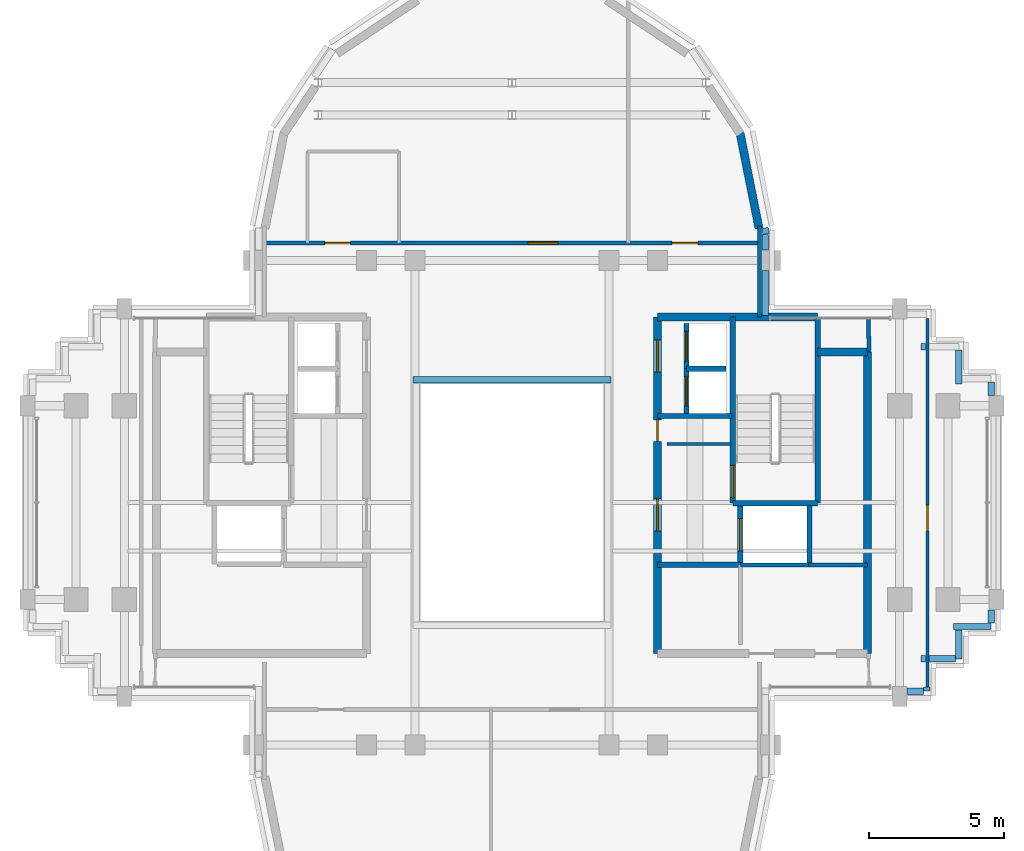
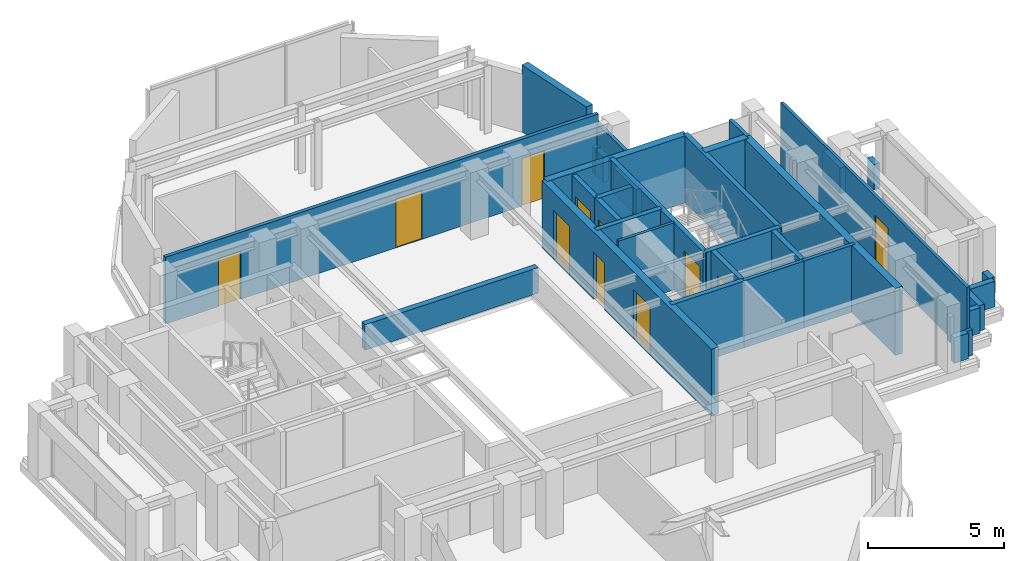
# One storey, part 9 of 12: 36 walls, 11 doors, 11 openings.
"""IFC4 building model written with IfcOpenShell, lengths in metres."""

from ifc_helpers import new_model, si_unit, direction, frame, frame_2d, origin, place, context, subcontext, project, spatial, rectangle, extrude, source, transform, mapped, material, layer, layer_set, type_object, element, fill, save


model = new_model("IFC4")

# Units and contexts
model_context = context("Model", 3, precision=1e-05, world=origin(), true_north=direction((0.0, 1.0)))
body_context = subcontext(model_context, "Body", "Model", "MODEL_VIEW")
ifc_project = project(units=[si_unit("LENGTHUNIT", "METRE"), si_unit("AREAUNIT", "SQUARE_METRE"), si_unit("VOLUMEUNIT", "CUBIC_METRE"), si_unit("PLANEANGLEUNIT", "RADIAN"), si_unit("MASSUNIT", "GRAM", prefix="KILO")], contexts=[model_context])

# Site, building, storey
site_placement = place(None, origin())
site = spatial("IfcSite", under=ifc_project, at=site_placement, CompositionType="ELEMENT")
building_placement = place(site_placement, origin())
building = spatial("IfcBuilding", under=site, at=building_placement, Name="Keilestroom Media Tower", CompositionType="ELEMENT")
storey_placement = place(building_placement, frame((0.0, 0.0, 236.39990234375)))
storey = spatial("IfcBuildingStorey", under=building, at=storey_placement, Name="L65", CompositionType="ELEMENT", Elevation=236.39990234375)

# Walls
ifc_material_1 = material(Name="Precast concrete C40/50", Category="concrete")
ifc_layer_1 = layer(ifc_material_1, 0.300048828125)
ifc_layer_set_1 = layer_set([ifc_layer_1], Name="Precast concrete C40/50")
wall_type_1 = type_object("IfcWallType", Name="Exterior-Masonry-Spandrel-Wall-300", PredefinedType="SOLIDWALL", material=ifc_layer_set_1)
wall_1_placement = place(storey_placement, frame((9.1748046875, 10.185302734375, 0.0), z_axis=(0.0, 0.0, 1.0), x_axis=(-0.195114232679, 0.980780523974, 0.0)))
element("IfcWall", 1, at=wall_1_placement, inside=storey, type_object=wall_type_1, Name="L65 Lobe Facet Precast Frame Wall 01", PredefinedType="SOLIDWALL", context=body_context, shape_type="SweptSolid", body=[
    extrude(rectangle(XDim=3.608642578125, YDim=0.300048828125, at=frame_2d((1.80419921875, 0.0))), origin(), (0.0, 0.0, 1.0), 3.010009765625),
])
ifc_material_2 = material(Name="Gypsum Plasterboard & Steel Stud", Category="steel")
ifc_layer_2 = layer(ifc_material_2, 0.1201171875)
ifc_layer_set_2 = layer_set([ifc_layer_2], Name="Gypsum Plasterboard & Steel Stud")
wall_type_2 = type_object("IfcWallType", Name="Interior-Partition-Wall-120", PredefinedType="PARTITIONING", material=ifc_layer_set_2)
wall_2_placement = place(storey_placement, frame((5.75, 2.179931640625, 0.0), z_axis=(0.0, 0.0, 1.0), x_axis=(1.0, 0.0, 0.0)))
element("IfcWall", 2, at=wall_2_placement, inside=storey, type_object=wall_type_2, Name="L65 Interior Wall WP-L65-CIE-S", PredefinedType="PARTITIONING", context=body_context, shape_type="SweptSolid", body=[
    extrude(rectangle(XDim=2.389892578125, YDim=0.1201171875, at=frame_2d((1.19482421875, 0.0))), origin(), (0.0, 0.0, 1.0), 3.010009765625),
])

# Wall, opening, door
wall_3_placement = place(storey_placement, frame((15.429931640625, -6.85009765625, 0.0), z_axis=(0.0, 0.0, 1.0), x_axis=(0.0, 1.0, 0.0)))
wall_3 = element("IfcWall", 3, at=wall_3_placement, inside=storey, type_object=wall_type_2, Name="L65 Interior Wall WP-L65-EA-V", PredefinedType="PARTITIONING", context=body_context, shape_type="SweptSolid", body=[
    extrude(rectangle(XDim=13.7001953125, YDim=0.1201171875, at=frame_2d((6.85009765625, 0.0))), origin(), (0.0, 0.0, 1.0), 3.010009765625),
])
opening_1_placement = place(wall_3_placement, frame((5.800048828125, 0.0, 0.0)))
opening_1 = element("IfcOpeningElement", 4, at=opening_1_placement, cuts=wall_3, Name="Opening DI-03", PredefinedType="OPENING", context=body_context, shape_type="SweptSolid", body=[
    extrude(rectangle(XDim=0.949951171875, YDim=2.14990234375, at=frame_2d((0.47509765625, 1.074951171875))), frame((0.0, 0.070068359375, 0.0), z_axis=(0.0, -1.0, 0.0), x_axis=(1.0, 0.0, 0.0)), (0.0, 0.0, 1.0), 0.14013671875),
])
ifc_material_3 = material(Name="Lacquered European Oak Leaf", Category="wood")
door_type_1 = type_object("IfcDoorType", Name="Interior-Room-And-Suite-Door-DI-03", OperationType="NOTDEFINED", PredefinedType="DOOR", material=ifc_material_3)
shared_shape_1 = source(origin(), body_context, "Body", "SweptSolid", [
    extrude(rectangle(XDim=0.949951171875, YDim=2.14990234375, at=frame_2d((0.47509765625, 1.074951171875))), frame((0.0, 0.02490234375, 0.0), z_axis=(0.0, -1.0, 0.0), x_axis=(1.0, 0.0, 0.0)), (0.0, 0.0, 1.0), 0.050048828125),
])
door_1_placement = place(opening_1_placement, origin())
door_1 = element("IfcDoor", 5, at=door_1_placement, inside=storey, type_object=door_type_1, Name="L65 Interior Door DI-L65-DEA-E", OperationType="SINGLE_SWING_RIGHT", OverallHeight=2.14990234375, OverallWidth=0.949951171875, PredefinedType="DOOR", context=body_context, shape_type="MappedRepresentation", body=[
    mapped(shared_shape_1, transform((0.0, 0.0, 0.0), x_axis=(1.0, 0.0, 0.0), y_axis=(0.0, 1.0, 0.0), z_axis=(0.0, 0.0, 1.0), scale=1.0)),
])
fill(opening_1, door_1)

# Walls
ifc_layer_3 = layer(ifc_material_2, 0.14990234375)
ifc_layer_set_3 = layer_set([ifc_layer_3], Name="Gypsum Plasterboard & Steel Stud")
wall_type_3 = type_object("IfcWallType", Name="Interior-Partition-Wall-150", PredefinedType="PARTITIONING", material=ifc_layer_set_3)
wall_4_placement = place(storey_placement, frame((11.02001953125, -2.320068359375, 0.0), z_axis=(0.0, 0.0, 1.0), x_axis=(1.0, 0.0, 0.0)))
element("IfcWall", 6, at=wall_4_placement, inside=storey, type_object=wall_type_3, Name="L65 Interior Wall WP-L65-RECLE-N", PredefinedType="PARTITIONING", context=body_context, shape_type="SweptSolid", body=[
    extrude(rectangle(XDim=2.179931640625, YDim=0.14990234375, at=frame_2d((1.08984375, 0.0))), origin(), (0.0, 0.0, 1.0), 3.010009765625),
])
wall_5_placement = place(storey_placement, frame((8.47998046875, -2.320068359375, 0.0), z_axis=(0.0, 0.0, 1.0), x_axis=(1.0, 0.0, 0.0)))
element("IfcWall", 7, at=wall_5_placement, inside=storey, type_object=wall_type_3, Name="L65 Interior Wall WP-L65-RECME-N", PredefinedType="PARTITIONING", context=body_context, shape_type="SweptSolid", body=[
    extrude(rectangle(XDim=2.56005859375, YDim=0.14990234375, at=frame_2d((1.280029296875, 0.0))), origin(), (0.0, 0.0, 1.0), 3.010009765625),
])

# Wall, openings, doors
wall_6_placement = place(storey_placement, frame((-9.199951171875, 9.639892578125, 0.0), z_axis=(0.0, 0.0, 1.0), x_axis=(1.0, 0.0, 0.0)))
wall_6 = element("IfcWall", 8, at=wall_6_placement, inside=storey, type_object=wall_type_3, Name="L65 Interior Wall WP-L65-NL-BASE", PredefinedType="PARTITIONING", context=body_context, shape_type="SweptSolid", body=[
    extrude(rectangle(XDim=18.39990234375, YDim=0.14990234375, at=frame_2d((9.199951171875, 0.0))), origin(), (0.0, 0.0, 1.0), 3.010009765625),
])
opening_2_placement = place(wall_6_placement, frame((2.25, 0.0, 0.0)))
opening_2 = element("IfcOpeningElement", 9, at=opening_2_placement, cuts=wall_6, Name="Opening DI-03", PredefinedType="OPENING", context=body_context, shape_type="SweptSolid", body=[
    extrude(rectangle(XDim=0.949951171875, YDim=2.14990234375, at=frame_2d((0.47509765625, 1.074951171875))), frame((0.0, 0.0849609375, 0.0), z_axis=(0.0, -1.0, 0.0), x_axis=(1.0, 0.0, 0.0)), (0.0, 0.0, 1.0), 0.169921875),
])
opening_3_placement = place(wall_6_placement, frame((9.800048828125, 0.0, 0.0)))
opening_3 = element("IfcOpeningElement", 10, at=opening_3_placement, cuts=wall_6, Name="Opening DI-04", PredefinedType="OPENING", context=body_context, shape_type="SweptSolid", body=[
    extrude(rectangle(XDim=1.10009765625, YDim=2.199951171875, at=frame_2d((0.550048828125, 1.10009765625))), frame((0.0, 0.0849609375, 0.0), z_axis=(0.0, -1.0, 0.0), x_axis=(1.0, 0.0, 0.0)), (0.0, 0.0, 1.0), 0.169921875),
])
opening_4_placement = place(wall_6_placement, frame((15.14990234375, 0.0, 0.0)))
opening_4 = element("IfcOpeningElement", 11, at=opening_4_placement, cuts=wall_6, Name="Opening DI-03", PredefinedType="OPENING", context=body_context, shape_type="SweptSolid", body=[
    extrude(rectangle(XDim=0.949951171875, YDim=2.14990234375, at=frame_2d((0.47509765625, 1.074951171875))), frame((0.0, 0.0849609375, 0.0), z_axis=(0.0, -1.0, 0.0), x_axis=(1.0, 0.0, 0.0)), (0.0, 0.0, 1.0), 0.169921875),
])
door_2_placement = place(opening_2_placement, origin())
door_2 = element("IfcDoor", 12, at=door_2_placement, inside=storey, type_object=door_type_1, Name="L65 Interior Door DI-L65-DNL-WC", OperationType="SINGLE_SWING_LEFT", OverallHeight=2.14990234375, OverallWidth=0.949951171875, PredefinedType="DOOR", context=body_context, shape_type="MappedRepresentation", body=[
    mapped(shared_shape_1, transform((0.0, 0.0, 0.0), x_axis=(1.0, 0.0, 0.0), y_axis=(0.0, 1.0, 0.0), z_axis=(0.0, 0.0, 1.0), scale=1.0)),
])
fill(opening_2, door_2)
door_3_placement = place(opening_4_placement, origin())
door_3 = element("IfcDoor", 13, at=door_3_placement, inside=storey, type_object=door_type_1, Name="L65 Interior Door DI-L65-DNL-B", OperationType="SINGLE_SWING_LEFT", OverallHeight=2.14990234375, OverallWidth=0.949951171875, PredefinedType="DOOR", context=body_context, shape_type="MappedRepresentation", body=[
    mapped(shared_shape_1, transform((0.0, 0.0, 0.0), x_axis=(1.0, 0.0, 0.0), y_axis=(0.0, 1.0, 0.0), z_axis=(0.0, 0.0, 1.0), scale=1.0)),
])
fill(opening_4, door_3)
ifc_material_4 = material(Name="Acoustic Glazed Aluminium Leaf", Category="aluminium")
door_type_2 = type_object("IfcDoorType", Name="Interior-Room-And-Suite-Door-DI-04", OperationType="NOTDEFINED", PredefinedType="DOOR", material=ifc_material_4)
shared_shape_2 = source(origin(), body_context, "Body", "SweptSolid", [
    extrude(rectangle(XDim=1.10009765625, YDim=2.199951171875, at=frame_2d((0.550048828125, 1.10009765625))), frame((0.0, 0.02490234375, 0.0), z_axis=(0.0, -1.0, 0.0), x_axis=(1.0, 0.0, 0.0)), (0.0, 0.0, 1.0), 0.050048828125),
])
door_4_placement = place(opening_3_placement, origin())
door_4 = element("IfcDoor", 14, at=door_4_placement, inside=storey, type_object=door_type_2, Name="L65 Interior Door DI-L65-DNL-A", OperationType="SINGLE_SWING_RIGHT", OverallHeight=2.199951171875, OverallWidth=1.10009765625, PredefinedType="DOOR", context=body_context, shape_type="MappedRepresentation", body=[
    mapped(shared_shape_2, transform((0.0, 0.0, 0.0), x_axis=(1.0, 0.0, 0.0), y_axis=(0.0, 1.0, 0.0), z_axis=(0.0, 0.0, 1.0), scale=1.0)),
])
fill(opening_3, door_4)

# Walls
wall_7_placement = place(storey_placement, frame((9.199951171875, 6.89990234375, 0.0), z_axis=(0.0, 0.0, 1.0), x_axis=(0.0, 1.0, 0.0)))
element("IfcWall", 15, at=wall_7_placement, inside=storey, type_object=wall_type_3, Name="L65 Interior Wall WP-L65-NL-CHKE", PredefinedType="PARTITIONING", context=body_context, shape_type="SweptSolid", body=[
    extrude(rectangle(XDim=3.380126953125, YDim=0.14990234375, at=frame_2d((1.68994140625, 0.0))), origin(), (0.0, 0.0, 1.0), 2.610107421875),
])
wall_8_placement = place(storey_placement, frame((13.260009765625, 5.60009765625, 0.0), z_axis=(0.0, 0.0, 1.0), x_axis=(-0.016013571389, 0.999871774545, 0.0)))
element("IfcWall", 16, at=wall_8_placement, inside=storey, type_object=wall_type_3, Name="L65 Interior Wall WP-L65-EA-ENTN", PredefinedType="PARTITIONING", context=body_context, shape_type="SweptSolid", body=[
    extrude(rectangle(XDim=1.250244140625, YDim=0.14990234375, at=frame_2d((0.625, 0.0))), origin(), (0.0, 0.0, 1.0), 3.010009765625),
])
ifc_material_5 = material(Name="Concrete C50/60", Category="concrete")
ifc_layer_4 = layer(ifc_material_5, 0.300048828125)
ifc_layer_set_4 = layer_set([ifc_layer_4], Name="Concrete C50/60")
wall_type_4 = type_object("IfcWallType", Name="Reinforced-Concrete-Core-Shear-Wall-300", PredefinedType="SHEAR", material=ifc_layer_set_4)
wall_9_placement = place(storey_placement, frame((13.199951171875, -5.60009765625, 0.0), z_axis=(0.0, 0.0, 1.0), x_axis=(0.0, 1.0, 0.0)))
element("IfcWall", 17, at=wall_9_placement, inside=storey, type_object=wall_type_4, Name="L65 Core Shear Wall WL-L65-CORE-E-OUT", PredefinedType="SHEAR", context=body_context, shape_type="SweptSolid", body=[
    extrude(rectangle(XDim=11.2001953125, YDim=0.300048828125, at=frame_2d((5.60009765625, 0.0))), origin(), (0.0, 0.0, 1.0), 3.010009765625),
])

# Wall, openings, doors
wall_10_placement = place(storey_placement, frame((5.39990234375, -5.60009765625, 0.0), z_axis=(0.0, 0.0, 1.0), x_axis=(0.0, 1.0, 0.0)))
wall_10 = element("IfcWall", 18, at=wall_10_placement, inside=storey, type_object=wall_type_4, Name="L65 Core Shear Wall WL-L65-CORE-E-IN", PredefinedType="SHEAR", context=body_context, shape_type="SweptSolid", body=[
    extrude(rectangle(XDim=12.5, YDim=0.300048828125, at=frame_2d((6.25, 0.0))), origin(), (0.0, 0.0, 1.0), 3.010009765625),
])
opening_5_placement = place(wall_10_placement, frame((4.550048828125, 0.0, 0.0)))
opening_5 = element("IfcOpeningElement", 19, at=opening_5_placement, cuts=wall_10, Name="Opening DI-02", PredefinedType="OPENING", context=body_context, shape_type="SweptSolid", body=[
    extrude(rectangle(XDim=1.199951171875, YDim=2.199951171875, at=frame_2d((0.60009765625, 1.10009765625))), frame((0.0, 0.16015625, 0.0), z_axis=(0.0, -1.0, 0.0), x_axis=(1.0, 0.0, 0.0)), (0.0, 0.0, 1.0), 0.320068359375),
])
opening_6_placement = place(wall_10_placement, frame((10.449951171875, 0.0, 0.0)))
opening_6 = element("IfcOpeningElement", 20, at=opening_6_placement, cuts=wall_10, Name="Opening DI-02", PredefinedType="OPENING", context=body_context, shape_type="SweptSolid", body=[
    extrude(rectangle(XDim=1.199951171875, YDim=2.199951171875, at=frame_2d((0.60009765625, 1.10009765625))), frame((0.0, 0.16015625, 0.0), z_axis=(0.0, -1.0, 0.0), x_axis=(1.0, 0.0, 0.0)), (0.0, 0.0, 1.0), 0.320068359375),
])
opening_7_placement = place(wall_10_placement, frame((7.8798828125, 0.0, 0.0)))
opening_7 = element("IfcOpeningElement", 21, at=opening_7_placement, cuts=wall_10, Name="Opening DI-06", PredefinedType="OPENING", context=body_context, shape_type="SweptSolid", body=[
    extrude(rectangle(XDim=0.800048828125, YDim=2.10009765625, at=frame_2d((0.39990234375, 1.050048828125))), frame((0.0, 0.16015625, 0.0), z_axis=(0.0, -1.0, 0.0), x_axis=(1.0, 0.0, 0.0)), (0.0, 0.0, 1.0), 0.320068359375),
])
ifc_material_6 = material(Name="Powder-Coated Steel Fire Leaf", Category="steel")
door_type_3 = type_object("IfcDoorType", Name="Interior-Compartment-Fire-Door-DI-02", OperationType="NOTDEFINED", PredefinedType="DOOR", material=ifc_material_6)
shared_shape_3 = source(origin(), body_context, "Body", "SweptSolid", [
    extrude(rectangle(XDim=1.199951171875, YDim=2.199951171875, at=frame_2d((0.60009765625, 1.10009765625))), frame((0.0, 0.02490234375, 0.0), z_axis=(0.0, -1.0, 0.0), x_axis=(1.0, 0.0, 0.0)), (0.0, 0.0, 1.0), 0.050048828125),
])
door_5_placement = place(opening_5_placement, origin())
door_5 = element("IfcDoor", 22, at=door_5_placement, inside=storey, type_object=door_type_3, Name="L65 E Firefighting Lobby Door", OperationType="SINGLE_SWING_LEFT", OverallHeight=2.199951171875, OverallWidth=1.199951171875, PredefinedType="DOOR", context=body_context, shape_type="MappedRepresentation", body=[
    mapped(shared_shape_3, transform((0.0, 0.0, 0.0), x_axis=(1.0, 0.0, 0.0), y_axis=(0.0, 1.0, 0.0), z_axis=(0.0, 0.0, 1.0), scale=1.0)),
])
fill(opening_5, door_5)
door_6_placement = place(opening_6_placement, origin())
door_6 = element("IfcDoor", 23, at=door_6_placement, inside=storey, type_object=door_type_3, Name="L65 E High-Rise Lift Lobby Door", OperationType="SINGLE_SWING_RIGHT", OverallHeight=2.199951171875, OverallWidth=1.199951171875, PredefinedType="DOOR", context=body_context, shape_type="MappedRepresentation", body=[
    mapped(shared_shape_3, transform((0.0, 0.0, 0.0), x_axis=(1.0, 0.0, 0.0), y_axis=(0.0, 1.0, 0.0), z_axis=(0.0, 0.0, 1.0), scale=1.0)),
])
fill(opening_6, door_6)
ifc_material_7 = material(Name="Powder-Coated Steel Service Leaf", Category="steel")
door_type_4 = type_object("IfcDoorType", Name="Interior-Riser-Access-Door-DI-06", OperationType="NOTDEFINED", PredefinedType="DOOR", material=ifc_material_7)
shared_shape_4 = source(origin(), body_context, "Body", "SweptSolid", [
    extrude(rectangle(XDim=0.800048828125, YDim=2.10009765625, at=frame_2d((0.39990234375, 1.050048828125))), frame((0.0, 0.02490234375, 0.0), z_axis=(0.0, -1.0, 0.0), x_axis=(1.0, 0.0, 0.0)), (0.0, 0.0, 1.0), 0.050048828125),
])
door_7_placement = place(opening_7_placement, origin())
door_7 = element("IfcDoor", 24, at=door_7_placement, inside=storey, type_object=door_type_4, Name="L65 East Core Closet Door", OperationType="SINGLE_SWING_RIGHT", OverallHeight=2.10009765625, OverallWidth=0.800048828125, PredefinedType="DOOR", context=body_context, shape_type="MappedRepresentation", body=[
    mapped(shared_shape_4, transform((0.0, 0.0, 0.0), x_axis=(1.0, 0.0, 0.0), y_axis=(0.0, 1.0, 0.0), z_axis=(0.0, 0.0, 1.0), scale=1.0)),
])
fill(opening_7, door_7)

# Walls
wall_11_placement = place(storey_placement, frame((5.39990234375, 6.89990234375, 0.0), z_axis=(0.0, 0.0, 1.0), x_axis=(1.0, 0.0, 0.0)))
element("IfcWall", 25, at=wall_11_placement, inside=storey, type_object=wall_type_4, Name="L65 Core Shear Wall WL-L65-CORE-E-N", PredefinedType="SHEAR", context=body_context, shape_type="SweptSolid", body=[
    extrude(rectangle(XDim=5.9560546875, YDim=0.300048828125, at=frame_2d((2.97802734375, 0.0))), origin(), (0.0, 0.0, 1.0), 3.010009765625),
])
wall_12_placement = place(storey_placement, frame((11.35595703125, 5.60009765625, 0.0), z_axis=(0.0, 0.0, 1.0), x_axis=(1.0, 0.0, 0.0)))
element("IfcWall", 26, at=wall_12_placement, inside=storey, type_object=wall_type_4, Name="L65 Core Shear Wall WL-L65-CNE-N", PredefinedType="SHEAR", context=body_context, shape_type="SweptSolid", body=[
    extrude(rectangle(XDim=1.843994140625, YDim=0.300048828125, at=frame_2d((0.921875, 0.0))), origin(), (0.0, 0.0, 1.0), 3.010009765625),
])
ifc_layer_5 = layer(ifc_material_5, 0.199951171875)
ifc_layer_set_5 = layer_set([ifc_layer_5], Name="Concrete C50/60")
wall_type_5 = type_object("IfcWallType", Name="Reinforced-Concrete-Shaft-Wall-200", PredefinedType="SOLIDWALL", material=ifc_layer_set_5)
wall_13_placement = place(storey_placement, frame((5.39990234375, 3.219970703125, 0.0), z_axis=(0.0, 0.0, 1.0), x_axis=(1.0, 0.0, 0.0)))
element("IfcWall", 27, at=wall_13_placement, inside=storey, type_object=wall_type_5, Name="L65 Core Shear Wall WL-L65-CORE-E-FFN", PredefinedType="SOLIDWALL", context=body_context, shape_type="SweptSolid", body=[
    extrude(rectangle(XDim=2.780029296875, YDim=0.199951171875, at=frame_2d((1.39013671875, 0.0))), origin(), (0.0, 0.0, 1.0), 3.010009765625),
])
wall_14_placement = place(storey_placement, frame((5.39990234375, -2.300048828125, 0.0), z_axis=(0.0, 0.0, 1.0), x_axis=(1.0, 0.0, 0.0)))
element("IfcWall", 28, at=wall_14_placement, inside=storey, type_object=wall_type_5, Name="L65 Core Shear Wall WL-L65-CORE-E-FFS", PredefinedType="SOLIDWALL", context=body_context, shape_type="SweptSolid", body=[
    extrude(rectangle(XDim=3.080078125, YDim=0.199951171875, at=frame_2d((1.5400390625, 0.0))), origin(), (0.0, 0.0, 1.0), 3.010009765625),
])

# Wall, opening, door
wall_15_placement = place(storey_placement, frame((8.2041015625, -0.01611328125, 0.0), z_axis=(0.0, 0.0, 1.0), x_axis=(0.0, 1.0, 0.0)))
wall_15 = element("IfcWall", 29, at=wall_15_placement, inside=storey, type_object=wall_type_5, Name="L65 Core Shear Wall WL-L65-STW-E-NEAR", PredefinedType="SOLIDWALL", context=body_context, shape_type="SweptSolid", body=[
    extrude(rectangle(XDim=6.916015625, YDim=0.199951171875, at=frame_2d((3.4580078125, 0.0))), origin(), (0.0, 0.0, 1.0), 3.010009765625),
])
opening_8_placement = place(wall_15_placement, frame((0.199951171875, 0.0, 0.0)))
opening_8 = element("IfcOpeningElement", 30, at=opening_8_placement, cuts=wall_15, Name="Opening DI-01S", PredefinedType="OPENING", context=body_context, shape_type="SweptSolid", body=[
    extrude(rectangle(XDim=1.199951171875, YDim=2.199951171875, at=frame_2d((0.60009765625, 1.10009765625))), frame((0.0, 0.10986328125, 0.0), z_axis=(0.0, -1.0, 0.0), x_axis=(1.0, 0.0, 0.0)), (0.0, 0.0, 1.0), 0.219970703125),
])
door_type_5 = type_object("IfcDoorType", Name="Interior-Stair-And-Core-Fire-Door-DI-01", OperationType="NOTDEFINED", PredefinedType="DOOR", material=ifc_material_6)
door_8_placement = place(opening_8_placement, origin())
door_8 = element("IfcDoor", 31, at=door_8_placement, inside=storey, type_object=door_type_5, Name="L65 Escape Stair ST-2 Fire Door", OperationType="SINGLE_SWING_RIGHT", OverallHeight=2.199951171875, OverallWidth=1.199951171875, PredefinedType="DOOR", context=body_context, shape_type="MappedRepresentation", body=[
    mapped(shared_shape_3, transform((0.0, 0.0, 0.0), x_axis=(1.0, 0.0, 0.0), y_axis=(0.0, 1.0, 0.0), z_axis=(0.0, 0.0, 1.0), scale=1.0)),
])
fill(opening_8, door_8)

# Walls
wall_16_placement = place(storey_placement, frame((11.35595703125, -0.01611328125, 0.0), z_axis=(0.0, 0.0, 1.0), x_axis=(0.0, 1.0, 0.0)))
element("IfcWall", 32, at=wall_16_placement, inside=storey, type_object=wall_type_5, Name="L65 Core Shear Wall WL-L65-STW-E-FAR", PredefinedType="SOLIDWALL", context=body_context, shape_type="SweptSolid", body=[
    extrude(rectangle(XDim=6.916015625, YDim=0.199951171875, at=frame_2d((3.4580078125, 0.0))), origin(), (0.0, 0.0, 1.0), 3.010009765625),
])
wall_17_placement = place(storey_placement, frame((8.2041015625, -0.01611328125, 0.0), z_axis=(0.0, 0.0, 1.0), x_axis=(1.0, 0.0, 0.0)))
element("IfcWall", 33, at=wall_17_placement, inside=storey, type_object=wall_type_5, Name="L65 Core Shear Wall WL-L65-STW-E-S", PredefinedType="SOLIDWALL", context=body_context, shape_type="SweptSolid", body=[
    extrude(rectangle(XDim=3.15185546875, YDim=0.199951171875, at=frame_2d((1.575927734375, 0.0))), origin(), (0.0, 0.0, 1.0), 3.010009765625),
])

# Wall, opening, door
wall_18_placement = place(storey_placement, frame((8.47998046875, -2.280029296875, 0.0), z_axis=(0.0, 0.0, 1.0), x_axis=(0.0, 1.0, 0.0)))
wall_18 = element("IfcWall", 34, at=wall_18_placement, inside=storey, type_object=wall_type_5, Name="L65 Core Shear Wall WL-L65-LSH-FFL-2-W", PredefinedType="SOLIDWALL", context=body_context, shape_type="SweptSolid", body=[
    extrude(rectangle(XDim=2.179931640625, YDim=0.199951171875, at=frame_2d((1.08984375, 0.0))), origin(), (0.0, 0.0, 1.0), 3.010009765625),
])
opening_9_placement = place(wall_18_placement, frame((0.489990234375, 0.0, 0.0)))
opening_9 = element("IfcOpeningElement", 35, at=opening_9_placement, cuts=wall_18, Name="Opening LD-02", PredefinedType="OPENING", context=body_context, shape_type="SweptSolid", body=[
    extrude(rectangle(XDim=1.199951171875, YDim=2.199951171875, at=frame_2d((0.60009765625, 1.10009765625))), frame((0.0, 0.10986328125, 0.0), z_axis=(0.0, -1.0, 0.0), x_axis=(1.0, 0.0, 0.0)), (0.0, 0.0, 1.0), 0.219970703125),
])
ifc_material_8 = material(Name="Brushed Stainless Steel Sliding Leaf", Category="steel")
door_type_6 = type_object("IfcDoorType", Name="Lift-Landing-Sliding-Door-LD-02", OperationType="SLIDING_TO_RIGHT", PredefinedType="DOOR", material=ifc_material_8)
door_9_placement = place(opening_9_placement, origin())
door_9 = element("IfcDoor", 36, at=door_9_placement, inside=storey, type_object=door_type_6, Name="L65 Lift FFL-2 Landing Sliding Door", OperationType="SLIDING_TO_RIGHT", OverallHeight=2.199951171875, OverallWidth=1.199951171875, PredefinedType="DOOR", context=body_context, shape_type="MappedRepresentation", body=[
    mapped(shared_shape_3, transform((0.0, 0.0, 0.0), x_axis=(1.0, 0.0, 0.0), y_axis=(0.0, 1.0, 0.0), z_axis=(0.0, 0.0, 1.0), scale=1.0)),
])
fill(opening_9, door_9)

# Wall
wall_19_placement = place(storey_placement, frame((11.050048828125, -2.280029296875, 0.0), z_axis=(0.0, 0.0, 1.0), x_axis=(0.0, 1.0, 0.0)))
element("IfcWall", 37, at=wall_19_placement, inside=storey, type_object=wall_type_5, Name="L65 Core Shear Wall WL-L65-LSH-FFL-2-E", PredefinedType="SOLIDWALL", context=body_context, shape_type="SweptSolid", body=[
    extrude(rectangle(XDim=2.179931640625, YDim=0.199951171875, at=frame_2d((1.08984375, 0.0))), origin(), (0.0, 0.0, 1.0), 3.010009765625),
])

# Wall, opening, door
wall_20_placement = place(storey_placement, frame((6.47998046875, 3.300048828125, 0.0), z_axis=(0.0, 0.0, 1.0), x_axis=(0.0, 1.0, 0.0)))
wall_20 = element("IfcWall", 38, at=wall_20_placement, inside=storey, type_object=wall_type_5, Name="L65 Core Shear Wall WL-L65-LSH-PL-H3-W", PredefinedType="SOLIDWALL", context=body_context, shape_type="SweptSolid", body=[
    extrude(rectangle(XDim=1.679931640625, YDim=0.199951171875, at=frame_2d((0.83984375, 0.0))), origin(), (0.0, 0.0, 1.0), 3.010009765625),
])
opening_10_placement = place(wall_20_placement, frame((0.2900390625, 0.0, 0.0)))
opening_10 = element("IfcOpeningElement", 39, at=opening_10_placement, cuts=wall_20, Name="Opening LD-01", PredefinedType="OPENING", context=body_context, shape_type="SweptSolid", body=[
    extrude(rectangle(XDim=1.10009765625, YDim=2.199951171875, at=frame_2d((0.550048828125, 1.10009765625))), frame((0.0, 0.10986328125, 0.0), z_axis=(0.0, -1.0, 0.0), x_axis=(1.0, 0.0, 0.0)), (0.0, 0.0, 1.0), 0.219970703125),
])
door_type_7 = type_object("IfcDoorType", Name="Lift-Landing-Sliding-Door-LD-01", OperationType="SLIDING_TO_LEFT", PredefinedType="DOOR", material=ifc_material_8)
door_10_placement = place(opening_10_placement, origin())
door_10 = element("IfcDoor", 40, at=door_10_placement, inside=storey, type_object=door_type_7, Name="L65 Lift PL-H3 Landing Sliding Door", OperationType="SLIDING_TO_LEFT", OverallHeight=2.199951171875, OverallWidth=1.10009765625, PredefinedType="DOOR", context=body_context, shape_type="MappedRepresentation", body=[
    mapped(shared_shape_2, transform((0.0, 0.0, 0.0), x_axis=(1.0, 0.0, 0.0), y_axis=(0.0, 1.0, 0.0), z_axis=(0.0, 0.0, 1.0), scale=1.0)),
])
fill(opening_10, door_10)

# Wall
wall_21_placement = place(storey_placement, frame((6.47998046875, 4.97998046875, 0.0), z_axis=(0.0, 0.0, 1.0), x_axis=(1.0, 0.0, 0.0)))
element("IfcWall", 41, at=wall_21_placement, inside=storey, type_object=wall_type_5, Name="L65 Core Shear Wall WL-L65-LSH-PL-H3-N", PredefinedType="SOLIDWALL", context=body_context, shape_type="SweptSolid", body=[
    extrude(rectangle(XDim=1.469970703125, YDim=0.199951171875, at=frame_2d((0.73486328125, 0.0))), origin(), (0.0, 0.0, 1.0), 3.010009765625),
])

# Wall, opening, door
wall_22_placement = place(storey_placement, frame((6.47998046875, 4.97998046875, 0.0), z_axis=(0.0, 0.0, 1.0), x_axis=(0.0, 1.0, 0.0)))
wall_22 = element("IfcWall", 42, at=wall_22_placement, inside=storey, type_object=wall_type_5, Name="L65 Core Shear Wall WL-L65-LSH-PL-H4-W", PredefinedType="SOLIDWALL", context=body_context, shape_type="SweptSolid", body=[
    extrude(rectangle(XDim=1.669921875, YDim=0.199951171875, at=frame_2d((0.8349609375, 0.0))), origin(), (0.0, 0.0, 1.0), 3.010009765625),
])
opening_11_placement = place(wall_22_placement, frame((0.284912109375, 0.0, 0.0)))
opening_11 = element("IfcOpeningElement", 43, at=opening_11_placement, cuts=wall_22, Name="Opening LD-01", PredefinedType="OPENING", context=body_context, shape_type="SweptSolid", body=[
    extrude(rectangle(XDim=1.10009765625, YDim=2.199951171875, at=frame_2d((0.550048828125, 1.10009765625))), frame((0.0, 0.10986328125, 0.0), z_axis=(0.0, -1.0, 0.0), x_axis=(1.0, 0.0, 0.0)), (0.0, 0.0, 1.0), 0.219970703125),
])
door_11_placement = place(opening_11_placement, origin())
door_11 = element("IfcDoor", 44, at=door_11_placement, inside=storey, type_object=door_type_7, Name="L65 Lift PL-H4 Landing Sliding Door", OperationType="SLIDING_TO_LEFT", OverallHeight=2.199951171875, OverallWidth=1.10009765625, PredefinedType="DOOR", context=body_context, shape_type="MappedRepresentation", body=[
    mapped(shared_shape_2, transform((0.0, 0.0, 0.0), x_axis=(1.0, 0.0, 0.0), y_axis=(0.0, 1.0, 0.0), z_axis=(0.0, 0.0, 1.0), scale=1.0)),
])
fill(opening_11, door_11)

# Walls
ifc_layer_6 = layer(ifc_material_1, 0.239990234375)
ifc_layer_set_6 = layer_set([ifc_layer_6], Name="Precast concrete C40/50")
wall_type_6 = type_object("IfcWallType", Name="Roof-And-Terrace-Parapet-Wall-240", PredefinedType="PARAPET", material=ifc_layer_set_6)
wall_23_placement = place(storey_placement, frame((17.800048828125, -4.60009765625, 0.0), z_axis=(0.0, 0.0, 1.0), x_axis=(-1.0, 0.0, 0.0)))
element("IfcWall", 45, at=wall_23_placement, inside=storey, type_object=wall_type_6, Name="L65 Perimeter Edge Parapet Wall 01", PredefinedType="PARAPET", context=body_context, shape_type="SweptSolid", body=[
    extrude(rectangle(XDim=1.400146484375, YDim=0.239990234375, at=frame_2d((0.7001953125, 0.0))), origin(), (0.0, 0.0, 1.0), 1.150146484375),
])
wall_24_placement = place(storey_placement, frame((16.60009765625, -4.722900390625, 0.0), z_axis=(0.0, 0.0, 1.0), x_axis=(0.0, -1.0, 0.0)))
element("IfcWall", 46, at=wall_24_placement, inside=storey, type_object=wall_type_6, Name="L65 Perimeter Edge Parapet Wall 02", PredefinedType="PARAPET", context=body_context, shape_type="SweptSolid", body=[
    extrude(rectangle(XDim=1.0771484375, YDim=0.239990234375, at=frame_2d((0.53857421875, 0.0))), origin(), (0.0, 0.0, 1.0), 1.150146484375),
])
wall_25_placement = place(storey_placement, frame((16.47705078125, -5.800048828125, 0.0), z_axis=(0.0, 0.0, 1.0), x_axis=(-1.0, 0.0, 0.0)))
element("IfcWall", 47, at=wall_25_placement, inside=storey, type_object=wall_type_6, Name="L65 Perimeter Edge Parapet Wall 03", PredefinedType="PARAPET", context=body_context, shape_type="SweptSolid", body=[
    extrude(rectangle(XDim=0.984130859375, YDim=0.239990234375, at=frame_2d((0.4921875, 0.0))), origin(), (0.0, 0.0, 1.0), 1.150146484375),
])
wall_26_placement = place(storey_placement, frame((15.366943359375, -5.800048828125, 0.0), z_axis=(0.0, 0.0, 1.0), x_axis=(-1.0, 0.0, 0.0)))
element("IfcWall", 48, at=wall_26_placement, inside=storey, type_object=wall_type_6, Name="L65 Perimeter Edge Parapet Wall 04", PredefinedType="PARAPET", context=body_context, shape_type="SweptSolid", body=[
    extrude(rectangle(XDim=0.1669921875, YDim=0.239990234375, at=frame_2d((0.08349609375, 0.0))), origin(), (0.0, 0.0, 1.0), 1.150146484375),
])
wall_27_placement = place(storey_placement, frame((15.39990234375, -6.85302734375, 0.0), z_axis=(0.0, 0.0, 1.0), x_axis=(0.0, -1.0, 0.0)))
element("IfcWall", 49, at=wall_27_placement, inside=storey, type_object=wall_type_6, Name="L65 Perimeter Edge Parapet Wall 05", PredefinedType="PARAPET", context=body_context, shape_type="SweptSolid", body=[
    extrude(rectangle(XDim=0.14697265625, YDim=0.239990234375, at=frame_2d((0.073486328125, 0.0))), origin(), (0.0, 0.0, 1.0), 1.150146484375),
])
wall_28_placement = place(storey_placement, frame((15.277099609375, -7.0, 0.0), z_axis=(0.0, 0.0, 1.0), x_axis=(-1.0, 0.0, 0.0)))
element("IfcWall", 50, at=wall_28_placement, inside=storey, type_object=wall_type_6, Name="L65 Perimeter Edge Parapet Wall 06", PredefinedType="PARAPET", context=body_context, shape_type="SweptSolid", body=[
    extrude(rectangle(XDim=0.59912109375, YDim=0.239990234375, at=frame_2d((0.299560546875, 0.0))), origin(), (0.0, 0.0, 1.0), 1.150146484375),
])
wall_29_placement = place(storey_placement, frame((9.395263671875, 10.2041015625, 0.0), z_axis=(0.0, 0.0, 1.0), x_axis=(0.194859894132, -0.980831087221, 0.0)))
element("IfcWall", 51, at=wall_29_placement, inside=storey, type_object=wall_type_6, Name="L65 Perimeter Edge Parapet Wall 29", PredefinedType="PARAPET", context=body_context, shape_type="SweptSolid", body=[
    extrude(rectangle(XDim=0.224365234375, YDim=0.239990234375, at=frame_2d((0.1123046875, 0.0))), origin(), (0.0, 0.0, 1.0), 1.150146484375),
])
wall_30_placement = place(storey_placement, frame((9.39990234375, 9.957763671875, 0.0), z_axis=(0.0, 0.0, 1.0), x_axis=(0.0, -1.0, 0.0)))
element("IfcWall", 52, at=wall_30_placement, inside=storey, type_object=wall_type_6, Name="L65 Perimeter Edge Parapet Wall 30", PredefinedType="PARAPET", context=body_context, shape_type="SweptSolid", body=[
    extrude(rectangle(XDim=0.579833984375, YDim=0.239990234375, at=frame_2d((0.2900390625, 0.0))), origin(), (0.0, 0.0, 1.0), 1.150146484375),
])
wall_31_placement = place(storey_placement, frame((9.39990234375, 8.6220703125, 0.0), z_axis=(0.0, 0.0, 1.0), x_axis=(0.0, -1.0, 0.0)))
element("IfcWall", 53, at=wall_31_placement, inside=storey, type_object=wall_type_6, Name="L65 Perimeter Edge Parapet Wall 31", PredefinedType="PARAPET", context=body_context, shape_type="SweptSolid", body=[
    extrude(rectangle(XDim=1.669189453125, YDim=0.239990234375, at=frame_2d((0.83447265625, 0.0))), origin(), (0.0, 0.0, 1.0), 1.150146484375),
])
wall_32_placement = place(storey_placement, frame((15.199951171875, 5.800048828125, 0.0), z_axis=(0.0, 0.0, 1.0), x_axis=(1.0, 0.0, 0.0)))
element("IfcWall", 54, at=wall_32_placement, inside=storey, type_object=wall_type_6, Name="L65 Perimeter Edge Parapet Wall 33", PredefinedType="PARAPET", context=body_context, shape_type="SweptSolid", body=[
    extrude(rectangle(XDim=0.1669921875, YDim=0.239990234375, at=frame_2d((0.08349609375, 0.0))), origin(), (0.0, 0.0, 1.0), 1.150146484375),
])
wall_33_placement = place(storey_placement, frame((16.60009765625, 5.677001953125, 0.0), z_axis=(0.0, 0.0, 1.0), x_axis=(0.0, -1.0, 0.0)))
element("IfcWall", 55, at=wall_33_placement, inside=storey, type_object=wall_type_6, Name="L65 Perimeter Edge Parapet Wall 35", PredefinedType="PARAPET", context=body_context, shape_type="SweptSolid", body=[
    extrude(rectangle(XDim=1.277099609375, YDim=0.239990234375, at=frame_2d((0.638671875, 0.0))), origin(), (0.0, 0.0, 1.0), 1.150146484375),
])
for number, where, z_axis, x_axis, name in (
    (56, (17.800048828125, 4.47705078125, 0.0), (0.0, 0.0, 1.0), (0.0, -1.0, 0.0), "L65 Perimeter Edge Parapet Wall 37"),
    (57, (17.800048828125, -3.97802734375, 0.0), (0.0, 0.0, 1.0), (0.0, -1.0, 0.0), "L65 Perimeter Edge Parapet Wall 38"),
):
    element("IfcWall", number, at=place(storey_placement, frame(where, z_axis=z_axis, x_axis=x_axis)), inside=storey, type_object=wall_type_6, Name=name, PredefinedType="PARAPET", context=body_context, shape_type="SweptSolid", body=[
        extrude(rectangle(XDim=0.4990234375, YDim=0.239990234375, at=frame_2d((0.24951171875, 0.0))), origin(), (0.0, 0.0, 1.0), 1.150146484375),
    ])
wall_34_placement = place(storey_placement, frame((-3.679931640625, 4.56005859375, 0.0), z_axis=(0.0, 0.0, 1.0), x_axis=(1.0, 0.0, 0.0)))
element("IfcWall", 58, at=wall_34_placement, inside=storey, type_object=wall_type_6, Name="L65 Central Atrium Guard Parapet N", PredefinedType="PARAPET", context=body_context, shape_type="SweptSolid", body=[
    extrude(rectangle(XDim=7.35986328125, YDim=0.239990234375, at=frame_2d((3.679931640625, 0.0))), origin(), (0.0, 0.0, 1.0), 1.150146484375),
])

save(model, "model.ifc")
